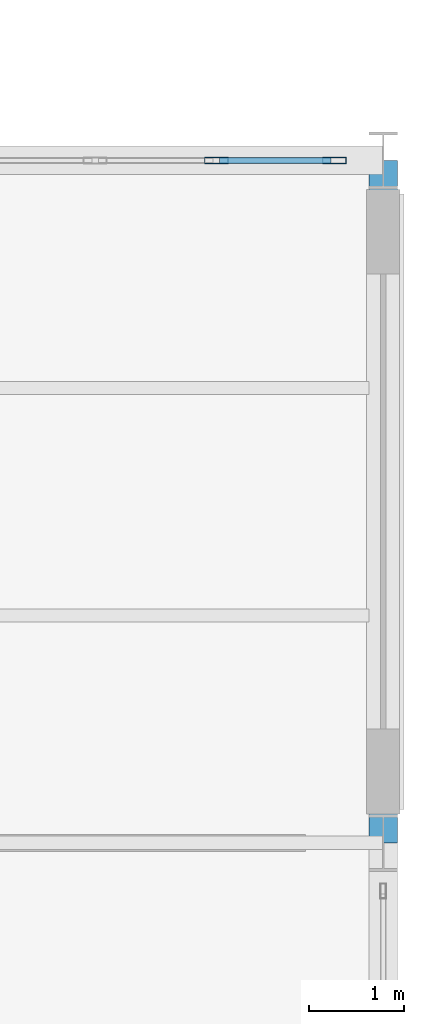
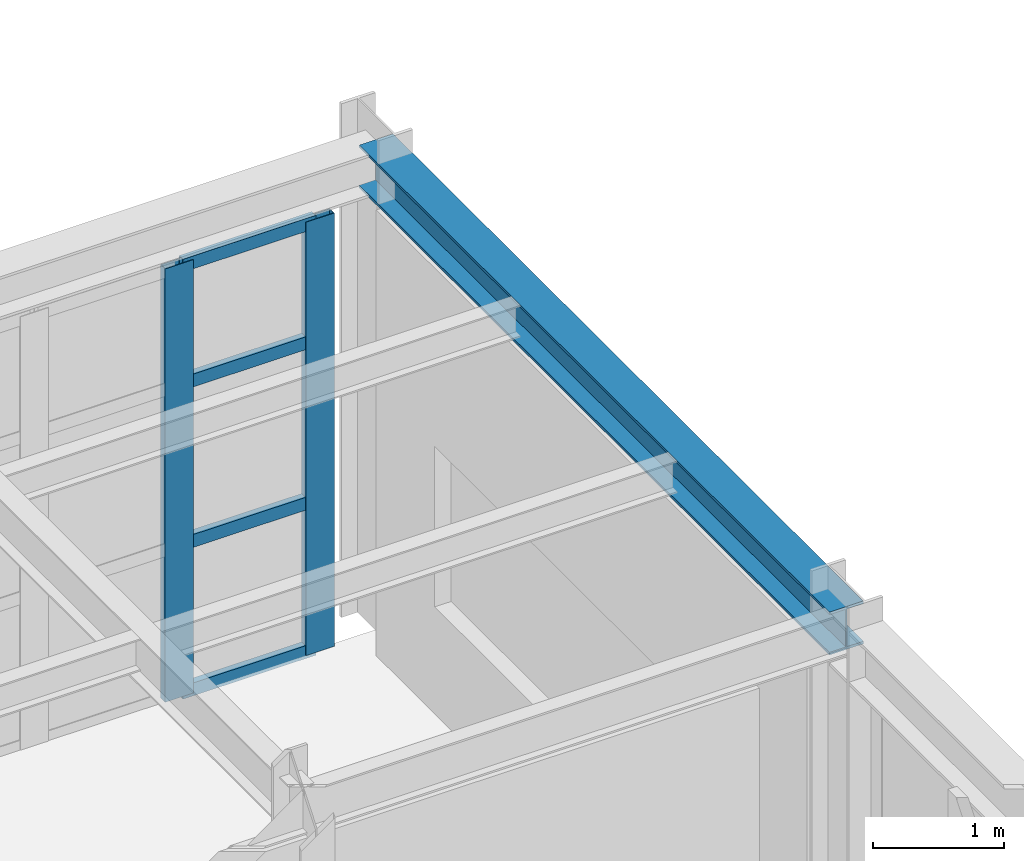
# One storey, part 48 of 83: 6 members, 1 beam, 1 element without a shape of its own.
"""IFC4 building model written with IfcOpenShell, lengths in metres."""

from ifc_helpers import new_model, si_unit, direction, frame, origin, origin_2d, place, context, subcontext, project, spatial, hollow_rectangle, i_section, extrude, material, layer, layer_set, material_profile, profile_set, type_object, element, aggregate, save


model = new_model("IFC4")

# Units and contexts
model_context = context("Model", 3, precision=1e-05, world=origin(), true_north=direction((0.0, 1.0)))
body_context = subcontext(model_context, "Body", "Model", "MODEL_VIEW")
ifc_project = project(units=[si_unit("LENGTHUNIT", "METRE"), si_unit("AREAUNIT", "SQUARE_METRE"), si_unit("VOLUMEUNIT", "CUBIC_METRE"), si_unit("PLANEANGLEUNIT", "RADIAN"), si_unit("MASSUNIT", "GRAM", prefix="KILO")], contexts=[model_context])

# Site, building, storey
site_placement = place(None, origin())
site = spatial("IfcSite", under=ifc_project, at=site_placement, CompositionType="ELEMENT")
building_placement = place(site_placement, origin())
building = spatial("IfcBuilding", under=site, at=building_placement, Name="Solvadek Multi-Sports Hall", CompositionType="ELEMENT")
storey_placement = place(building_placement, origin())
storey = spatial("IfcBuildingStorey", under=building, at=storey_placement, Name="L00", CompositionType="ELEMENT", Elevation=0.0)

# Curtain wall, members
ifc_material_1 = material(Name="Anodised aluminium", Category="aluminium")
ifc_layer = layer(ifc_material_1, 0.159912109375, Name="Anodised aluminium")
ifc_layer_set = layer_set([ifc_layer], Name="Anodised aluminium")
curtain_wall_type = type_object("IfcCurtainWallType", Name="ENV-CW-384X405", PredefinedType="USERDEFINED", material=ifc_layer_set)
curtain_wall_placement = place(storey_placement, origin())
curtain_wall = element("IfcCurtainWall", 1, at=curtain_wall_placement, inside=storey, type_object=curtain_wall_type, Name="L00 Perimeter Bay Curtain Wall #140", ObjectType="CURTAIN WALL", PredefinedType="USERDEFINED")
ifc_material_profile_1 = material_profile(ifc_material_1, hollow_rectangle(XDim=0.070068359375, YDim=0.25, WallThickness=0.0048828125, at=origin_2d()), Name="ALU-M 250x70x5")
ifc_profile_set_1 = profile_set([ifc_material_profile_1], Name="Anodised aluminium")
member_type_1 = type_object("IfcMemberType", Name="ENV-CWM-05", PredefinedType="MULLION", material=ifc_profile_set_1)
member_1_placement = place(storey_placement, frame((159.639892578125, 70.800048828125, 0.0), z_axis=(0.0, 0.0, 1.0), x_axis=(0.0, 1.0, 0.0)))
member_1 = element("IfcMember", 2, at=member_1_placement, type_object=member_type_1, Name="CW-48 mullion 3", PredefinedType="MULLION", context=body_context, shape_type="SweptSolid", body=[
    extrude(hollow_rectangle(XDim=0.070068359375, YDim=0.25, WallThickness=0.0048828125, at=origin_2d()), origin(), (0.0, 0.0, 1.0), 4.050048828125),
])
member_2_placement = place(storey_placement, frame((160.885009765625, 70.800048828125, 0.0), z_axis=(0.0, 0.0, 1.0), x_axis=(0.0, 1.0, 0.0)))
member_2 = element("IfcMember", 3, at=member_2_placement, type_object=member_type_1, Name="CW-48 mullion 4", PredefinedType="MULLION", context=body_context, shape_type="SweptSolid", body=[
    extrude(hollow_rectangle(XDim=0.070068359375, YDim=0.25, WallThickness=0.0048828125, at=origin_2d()), origin(), (0.0, 0.0, 1.0), 4.050048828125),
])
ifc_material_profile_2 = material_profile(ifc_material_1, hollow_rectangle(XDim=0.06005859375, YDim=0.1201171875, WallThickness=0.00390625, at=origin_2d()), Name="ALU-T 120x60x4")
ifc_profile_set_2 = profile_set([ifc_material_profile_2], Name="Anodised aluminium")
member_type_2 = type_object("IfcMemberType", Name="ENV-CWT-01", PredefinedType="USERDEFINED", material=ifc_profile_set_2)
member_3_placement = place(storey_placement, frame((159.675048828125, 70.800048828125, 0.030029296875), z_axis=(1.0, 0.0, 0.0), x_axis=(0.0, 1.0, 0.0)))
member_3 = element("IfcMember", 4, at=member_3_placement, type_object=member_type_2, Name="CW-48 transom 3.1", ObjectType="TRANSOM", PredefinedType="USERDEFINED", context=body_context, shape_type="SweptSolid", body=[
    extrude(hollow_rectangle(XDim=0.06005859375, YDim=0.1201171875, WallThickness=0.00390625, at=origin_2d()), origin(), (0.0, 0.0, 1.0), 1.175048828125),
])
member_4_placement = place(storey_placement, frame((159.675048828125, 70.800048828125, 1.4169921875), z_axis=(1.0, 0.0, 0.0), x_axis=(0.0, 1.0, 0.0)))
member_4 = element("IfcMember", 5, at=member_4_placement, type_object=member_type_2, Name="CW-48 transom 3.2", ObjectType="TRANSOM", PredefinedType="USERDEFINED", context=body_context, shape_type="SweptSolid", body=[
    extrude(hollow_rectangle(XDim=0.06005859375, YDim=0.1201171875, WallThickness=0.00390625, at=origin_2d()), origin(), (0.0, 0.0, 1.0), 1.175048828125),
])
member_5_placement = place(storey_placement, frame((159.675048828125, 70.800048828125, 2.916015625), z_axis=(1.0, 0.0, 0.0), x_axis=(0.0, 1.0, 0.0)))
member_5 = element("IfcMember", 6, at=member_5_placement, type_object=member_type_2, Name="CW-48 transom 3.3", ObjectType="TRANSOM", PredefinedType="USERDEFINED", context=body_context, shape_type="SweptSolid", body=[
    extrude(hollow_rectangle(XDim=0.06005859375, YDim=0.1201171875, WallThickness=0.00390625, at=origin_2d()), origin(), (0.0, 0.0, 1.0), 1.175048828125),
])
member_6_placement = place(storey_placement, frame((159.675048828125, 70.800048828125, 4.02001953125), z_axis=(1.0, 0.0, 0.0), x_axis=(0.0, 1.0, 0.0)))
member_6 = element("IfcMember", 7, at=member_6_placement, type_object=member_type_2, Name="CW-48 transom 3.4", ObjectType="TRANSOM", PredefinedType="USERDEFINED", context=body_context, shape_type="SweptSolid", body=[
    extrude(hollow_rectangle(XDim=0.06005859375, YDim=0.1201171875, WallThickness=0.00390625, at=origin_2d()), origin(), (0.0, 0.0, 1.0), 1.175048828125),
])
aggregate(curtain_wall, [member_1, member_2, member_3, member_4, member_5, member_6])

# Beam
ifc_material_2 = material(Name="Steel E350 (350 MPa)", Category="steel")
ifc_material_profile_3 = material_profile(ifc_material_2, i_section(OverallWidth=0.300048828125, OverallDepth=0.39990234375, WebThickness=0.013427734375, FlangeThickness=0.02392578125, at=origin_2d()), Name="WPB 400")
ifc_profile_set_3 = profile_set([ifc_material_profile_3], Name="Steel E350 (350 MPa)")
beam_type = type_object("IfcBeamType", Name="STR-SPN-WPB400", PredefinedType="SPANDREL", material=ifc_profile_set_3)
beam_placement = place(storey_placement, frame((161.39990234375, 63.60009765625, 4.3798828125), z_axis=(0.0, 1.0, 0.0), x_axis=(-1.0, 0.0, 0.0)))
element("IfcBeam", 8, at=beam_placement, inside=storey, type_object=beam_type, Name="L00 Girder SP-02 #943", PredefinedType="SPANDREL", context=body_context, shape_type="SweptSolid", body=[
    extrude(i_section(OverallWidth=0.300048828125, OverallDepth=0.39990234375, WebThickness=0.013427734375, FlangeThickness=0.02392578125, at=origin_2d()), origin(), (0.0, 0.0, 1.0), 7.199951171875),
])

save(model, "model.ifc")
